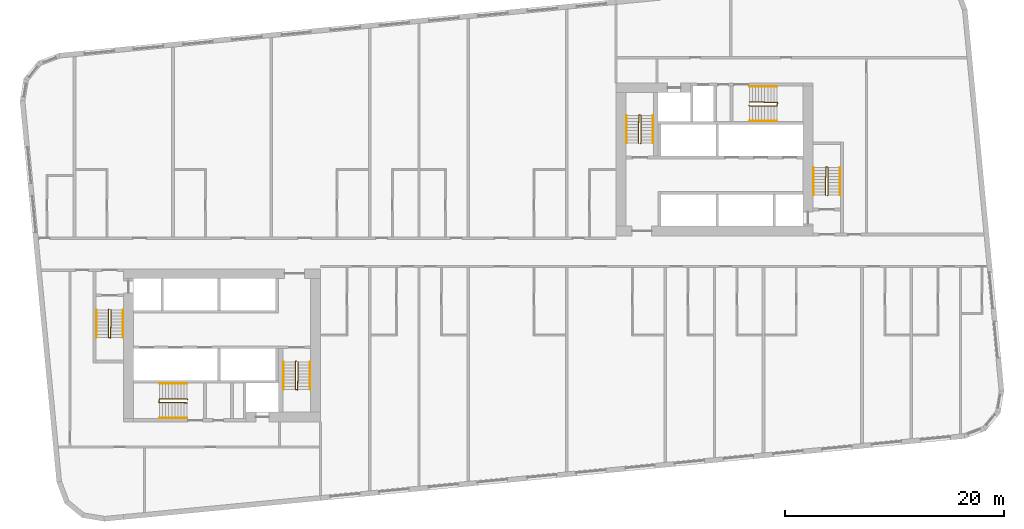
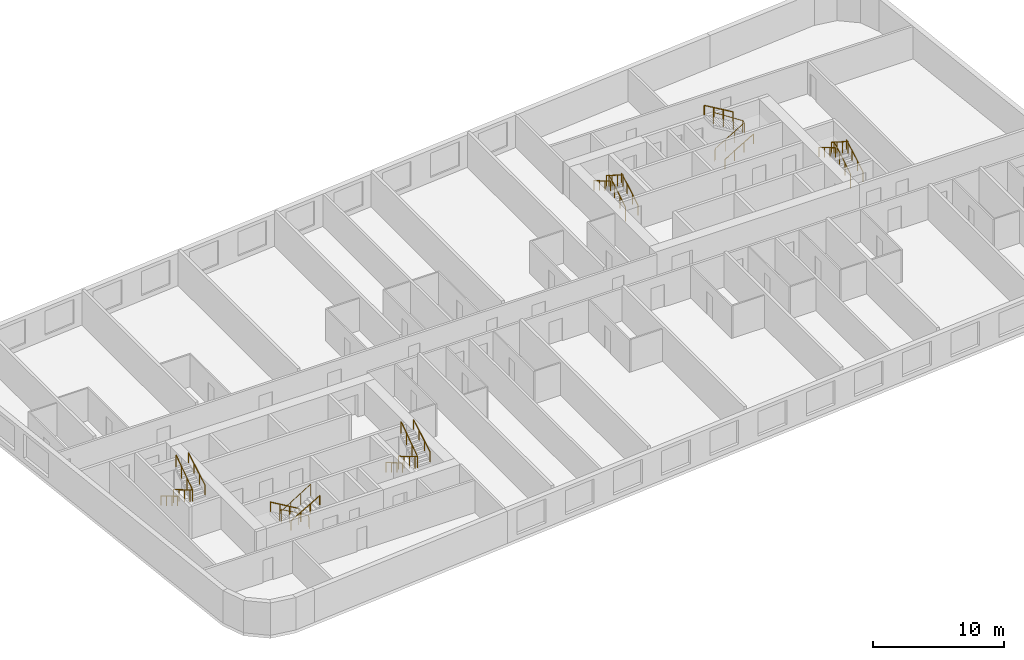
# One storey, part 12 of 12: 18 railings.
"""IFC4 building model written with IfcOpenShell, lengths in metres."""

import ifcopenshell
import ifcopenshell.guid

model = None  # the IFC model being written
_history = None  # IfcOwnerHistory: only IFC2X3 demands one
_inside = {}  # id of a spatial element -> (the spatial element, [elements in it])
_under = {}  # id of a project, library or spatial element -> (it, [spatial elements below it])
_declared = {}  # id of a project -> (the project, [libraries it declares])
_typed = {}  # id of a type object -> (the type object, [elements of that type])
_made_of = {}  # id of a material, layer set ... -> (it, [elements and type objects made of it])


def new_model(schema):
    """Start an empty IFC model of exactly this schema.

    Asked for "IFC4X3", IfcOpenShell would pick the latest addendum, in which some entities
    have other attributes; the version numbers below select the first issue.
    IFC2X3 requires an IfcOwnerHistory on every rooted entity: one is made here for all.
    """
    global model, _history
    if schema == "IFC4X3":
        model = ifcopenshell.file(schema_version=(4, 3, 0, 0))
    else:
        model = ifcopenshell.file(schema=schema)
    _inside.clear()
    _under.clear()
    _declared.clear()
    _typed.clear()
    _made_of.clear()
    _history = None
    if model.schema == "IFC2X3":
        org = make("IfcOrganization", Name="unknown")
        user = make(
            "IfcPersonAndOrganization",
            ThePerson=make("IfcPerson", FamilyName="unknown"),
            TheOrganization=org,
        )
        app = make(
            "IfcApplication",
            ApplicationDeveloper=org,
            Version="unknown",
            ApplicationFullName="unknown",
            ApplicationIdentifier="unknown",
        )
        _history = make(
            "IfcOwnerHistory",
            OwningUser=user,
            OwningApplication=app,
            ChangeAction="ADDED",
            CreationDate=0,
        )
    return model


def make(cls, **values):
    """One entity of the class cls with the attributes given. An attribute that is None is left unset."""
    return model.create_entity(
        cls, **{name: value for name, value in values.items() if value is not None}
    )


def rooted(cls, **values):
    """An entity with a GlobalId (a new one), such as an element, a storey or a relation."""
    return make(cls, GlobalId=ifcopenshell.guid.new(), OwnerHistory=_history, **values)


def si_unit(unit_type, name, prefix=None):
    """IfcSIUnit, for example si_unit("LENGTHUNIT", "METRE", prefix="MILLI")."""
    return make("IfcSIUnit", UnitType=unit_type, Prefix=prefix, Name=name)


def assignment(units):
    """IfcUnitAssignment: the units of a project."""
    return None if units is None else make("IfcUnitAssignment", Units=units)


def point(xyz):
    """IfcCartesianPoint."""
    return None if xyz is None else make("IfcCartesianPoint", Coordinates=xyz)


def direction(xyz):
    """IfcDirection."""
    return None if xyz is None else make("IfcDirection", DirectionRatios=xyz)


def frame(location, z_axis=None, x_axis=None):
    """IfcAxis2Placement3D, a coordinate frame: its origin and axes. An axis left out is left unset."""
    return make(
        "IfcAxis2Placement3D",
        Location=point(location),
        Axis=direction(z_axis),
        RefDirection=direction(x_axis),
    )


def frame_2d(location, x_axis=None):
    """IfcAxis2Placement2D, a coordinate frame in the plane: its origin and x axis."""
    return make(
        "IfcAxis2Placement2D", Location=point(location), RefDirection=direction(x_axis)
    )


def origin():
    """The frame at (0, 0, 0) with its axes left unset."""
    return frame((0.0, 0.0, 0.0))


def origin_2d():
    """The frame at (0, 0) in the plane with its x axis left unset."""
    return frame_2d((0.0, 0.0))


def place(relative_to, where):
    """IfcLocalPlacement: puts the frame where relative to a parent placement (None: the world)."""
    return make(
        "IfcLocalPlacement", PlacementRelTo=relative_to, RelativePlacement=where
    )


def context(
    kind, dimensions, precision=None, world=None, true_north=None, identifier=None
):
    """IfcGeometricRepresentationContext, for example the 3D "Model" context."""
    return make(
        "IfcGeometricRepresentationContext",
        ContextIdentifier=identifier,
        ContextType=kind,
        CoordinateSpaceDimension=dimensions,
        Precision=precision,
        WorldCoordinateSystem=world,
        TrueNorth=true_north,
    )


def subcontext(parent, identifier, kind, view, scale=None):
    """IfcGeometricRepresentationSubContext, for example "Body" below "Model"."""
    return make(
        "IfcGeometricRepresentationSubContext",
        ContextIdentifier=identifier,
        ContextType=kind,
        ParentContext=parent,
        TargetScale=scale,
        TargetView=view,
    )


def project(units=None, contexts=None):
    """IfcProject with its units and contexts."""
    return rooted(
        "IfcProject",
        Name="project",
        RepresentationContexts=contexts,
        UnitsInContext=assignment(units),
    )


def spatial(cls, under=None, at=None, **own):
    """A site, building, storey or space (cls), placed at a placement, below another one or the project."""
    s = rooted(cls, ObjectPlacement=at, **own)
    if under is not None:
        _under.setdefault(under.id(), (under, []))[1].append(s)
    return s


def profile(cls, at=None, kind="AREA", **sizes):
    """A parametric profile (cls). Its sizes go by their IFC names, for example OverallWidth=200.0."""
    return make(cls, ProfileType=kind, Position=at, **sizes)


def circle(**sizes):
    """IfcCircleProfileDef."""
    return profile("IfcCircleProfileDef", **sizes)


def extrude(swept, where, along, depth):
    """IfcExtrudedAreaSolid: the profile swept, set in the frame where, extruded along a direction by depth."""
    return make(
        "IfcExtrudedAreaSolid",
        SweptArea=swept,
        Position=where,
        ExtrudedDirection=direction(along),
        Depth=depth,
    )


def shape(context_of_items, identifier, shape_type, items):
    """IfcShapeRepresentation: the items that make up one representation, for example the "Body"."""
    return make(
        "IfcShapeRepresentation",
        ContextOfItems=context_of_items,
        RepresentationIdentifier=identifier,
        RepresentationType=shape_type,
        Items=items,
    )


def material(Name=None, Category=None):
    """IfcMaterial."""
    return make("IfcMaterial", Name=Name, Category=Category)


def made_of(thing, what):
    """Note that an element or type object is made of a material, layer set ...; save() writes the relation."""
    if what is not None:
        _made_of.setdefault(what.id(), (what, []))[1].append(thing)
    return thing


def type_object(cls, material=None, **own):
    """A type object (cls), such as IfcWallType, which elements share."""
    return made_of(rooted(cls, **own), material)


def element(
    cls,
    number,
    at=None,
    inside=None,
    cuts=None,
    type_object=None,
    material=None,
    context=None,
    identifier="Body",
    shape_type=None,
    held_by="IfcProductDefinitionShape",
    body=None,
    shapes=None,
    **own,
):
    """One element of the class cls, such as IfcWall. Its Tag is "e" and its number.

    at: its placement. inside: the storey or other place that contains it. cuts: it is an
    opening in that element (IfcRelVoidsElement). A single representation is given by context,
    identifier, shape_type and body (its items); several are given by shapes. held_by: the class
    of the entity that holds the representations. save() writes the other relations.
    """
    e = rooted(cls, Tag="e%d" % number, ObjectPlacement=at, **own)
    if body is not None:
        shapes = [shape(context, identifier, shape_type, body)]
    if shapes is not None:
        e.Representation = make(held_by, Representations=shapes)
    if inside is not None:
        _inside.setdefault(inside.id(), (inside, []))[1].append(e)
    if cuts is not None:
        rooted(
            "IfcRelVoidsElement", RelatingBuildingElement=cuts, RelatedOpeningElement=e
        )
    if type_object is not None:
        _typed.setdefault(type_object.id(), (type_object, []))[1].append(e)
    return made_of(e, material)


def aggregate(whole, parts):
    """IfcRelAggregates: a whole, such as a stair, and the parts it consists of."""
    return rooted("IfcRelAggregates", RelatingObject=whole, RelatedObjects=parts)


def save(model, path):
    """Write the relations noted so far, then the file.

    IfcRelAggregates (storeys below a building ...), IfcRelContainedInSpatialStructure (elements
    in a storey), IfcRelDefinesByType, IfcRelAssociatesMaterial and IfcRelDeclares: one each for
    every whole, place, type object, material and project.
    """
    for whole, parts in _under.values():
        aggregate(whole, parts)
    for where, things in _inside.values():
        rooted(
            "IfcRelContainedInSpatialStructure",
            RelatedElements=things,
            RelatingStructure=where,
        )
    for kind, things in _typed.values():
        rooted("IfcRelDefinesByType", RelatedObjects=things, RelatingType=kind)
    for what, things in _made_of.values():
        rooted("IfcRelAssociatesMaterial", RelatedObjects=things, RelatingMaterial=what)
    for by, libraries in _declared.values():
        rooted("IfcRelDeclares", RelatingContext=by, RelatedDefinitions=libraries)
    model.write(path)


model = new_model("IFC4")

# Units and contexts
model_context = context("Model", 3, precision=1e-05, world=origin(), true_north=direction((0.0, 1.0)))
body_context = subcontext(model_context, "Body", "Model", "MODEL_VIEW")
ifc_project = project(units=[si_unit("LENGTHUNIT", "METRE"), si_unit("AREAUNIT", "SQUARE_METRE"), si_unit("VOLUMEUNIT", "CUBIC_METRE"), si_unit("PLANEANGLEUNIT", "RADIAN"), si_unit("MASSUNIT", "GRAM", prefix="KILO")], contexts=[model_context])

# Site, building, storey
site_placement = place(None, origin())
site = spatial("IfcSite", under=ifc_project, at=site_placement, CompositionType="ELEMENT")
building_placement = place(site_placement, origin())
building = spatial("IfcBuilding", under=site, at=building_placement, Name="Kajstack Hotel Tower", CompositionType="ELEMENT")
storey_placement = place(building_placement, frame((0.0, 0.0, 137.199951171875)))
storey = spatial("IfcBuildingStorey", under=building, at=storey_placement, Name="L31", CompositionType="ELEMENT", Elevation=137.199951171875)

# Railings
ifc_material = material(Name="Steel S355J2", Category="steel")
railing_type_1 = type_object("IfcRailingType", Name="Stair guard 1100", PredefinedType="GUARDRAIL", material=ifc_material)
railing_1_placement = place(storey_placement, frame((-32.85009765625, -5.199951171875, 0.0)))
element("IfcRailing", 1, at=railing_1_placement, inside=storey, type_object=railing_type_1, Name="L31 W1 stair guard 1", PredefinedType="GUARDRAIL", context=body_context, shape_type="SweptSolid", body=[
    extrude(circle(Radius=0.02392578125, at=origin_2d()), frame((0.0, 0.0, 1.076171875), z_axis=(-0.277450376394, -0.278810427259, 0.919394384522), x_axis=(0.708833529934, -0.705375805398, 0.0)), (0.0, 0.0, 1.0), 0.179443359375),
    extrude(circle(Radius=0.02392578125, at=origin_2d()), frame((-0.0498046875, -0.050048828125, 1.2412109375), z_axis=(0.0, -0.86152411907, 0.507716645641), x_axis=(1.0, 0.0, 0.0)), (0.0, 0.0, 1.0), 2.925048828125),
    extrude(circle(Radius=0.02392578125, at=origin_2d()), frame((-0.0498046875, -2.570068359375, 2.72607421875), z_axis=(0.970072785993, -0.242814311512, 0.0), x_axis=(0.242814311512, 0.970072785993, 0.0)), (0.0, 0.0, 1.0), 0.2060546875),
    extrude(circle(Radius=0.02392578125, at=origin_2d()), frame((0.150146484375, -2.6201171875, 2.72607421875), z_axis=(0.016385308676, 0.841405582595, 0.540155687962), x_axis=(-0.999810440751, 0.019470042781, 0.0)), (0.0, 0.0, 1.0), 3.054443359375),
    extrude(circle(Radius=0.02099609375, at=origin_2d()), origin(), (0.0, 0.0, 1.0), 1.052001953125),
    extrude(circle(Radius=0.02099609375, at=origin_2d()), frame((-0.0498046875, -0.050048828125, 0.1650390625)), (0.0, 0.0, 1.0), 1.052001953125),
    extrude(circle(Radius=0.02099609375, at=origin_2d()), frame((-0.0498046875, -0.89013671875, 0.66015625)), (0.0, 0.0, 1.0), 1.052001953125),
    extrude(circle(Radius=0.02099609375, at=origin_2d()), frame((-0.0498046875, -1.72998046875, 1.155029296875)), (0.0, 0.0, 1.0), 1.052001953125),
    extrude(circle(Radius=0.02099609375, at=origin_2d()), frame((-0.0498046875, -2.570068359375, 1.650146484375)), (0.0, 0.0, 1.0), 1.052001953125),
    extrude(circle(Radius=0.02099609375, at=origin_2d()), frame((0.150146484375, -2.6201171875, 1.650146484375)), (0.0, 0.0, 1.0), 1.052001953125),
    extrude(circle(Radius=0.02099609375, at=origin_2d()), frame((0.166748046875, -1.763427734375, 2.2001953125)), (0.0, 0.0, 1.0), 1.052001953125),
    extrude(circle(Radius=0.02099609375, at=origin_2d()), frame((0.18359375, -0.90673828125, 2.75)), (0.0, 0.0, 1.0), 1.052001953125),
    extrude(circle(Radius=0.02099609375, at=origin_2d()), frame((0.2001953125, -0.050048828125, 3.300048828125)), (0.0, 0.0, 1.0), 1.052001953125),
])
railing_2_placement = place(storey_placement, frame((-15.75, -9.949951171875, 0.0)))
element("IfcRailing", 2, at=railing_2_placement, inside=storey, type_object=railing_type_1, Name="L31 W2 stair guard 1", PredefinedType="GUARDRAIL", context=body_context, shape_type="SweptSolid", body=[
    extrude(circle(Radius=0.02392578125, at=origin_2d()), frame((0.0, 0.0, 1.076171875), z_axis=(-0.278705021027, -0.278705021027, 0.919046801044), x_axis=(0.707106781187, -0.707106781187, 0.0)), (0.0, 0.0, 1.0), 0.1796875),
    extrude(circle(Radius=0.02392578125, at=origin_2d()), frame((-0.050048828125, -0.050048828125, 1.2412109375), z_axis=(0.0, -0.86152411907, 0.507716645641), x_axis=(1.0, 0.0, 0.0)), (0.0, 0.0, 1.0), 2.925048828125),
    extrude(circle(Radius=0.02392578125, at=origin_2d()), frame((-0.050048828125, -2.570068359375, 2.72607421875), z_axis=(0.970072785993, -0.242814311512, 0.0), x_axis=(0.242814311512, 0.970072785993, 0.0)), (0.0, 0.0, 1.0), 0.2060546875),
    extrude(circle(Radius=0.02392578125, at=origin_2d()), frame((0.14990234375, -2.6201171875, 2.72607421875), z_axis=(0.016385308676, 0.841405582595, 0.540155687962), x_axis=(-0.999810440751, 0.019470042781, 0.0)), (0.0, 0.0, 1.0), 3.054443359375),
    extrude(circle(Radius=0.02099609375, at=origin_2d()), origin(), (0.0, 0.0, 1.0), 1.052001953125),
    extrude(circle(Radius=0.02099609375, at=origin_2d()), frame((-0.050048828125, -0.050048828125, 0.1650390625)), (0.0, 0.0, 1.0), 1.052001953125),
    extrude(circle(Radius=0.02099609375, at=origin_2d()), frame((-0.050048828125, -0.89013671875, 0.66015625)), (0.0, 0.0, 1.0), 1.052001953125),
    extrude(circle(Radius=0.02099609375, at=origin_2d()), frame((-0.050048828125, -1.72998046875, 1.155029296875)), (0.0, 0.0, 1.0), 1.052001953125),
    extrude(circle(Radius=0.02099609375, at=origin_2d()), frame((-0.050048828125, -2.570068359375, 1.650146484375)), (0.0, 0.0, 1.0), 1.052001953125),
    extrude(circle(Radius=0.02099609375, at=origin_2d()), frame((0.14990234375, -2.6201171875, 1.650146484375)), (0.0, 0.0, 1.0), 1.052001953125),
    extrude(circle(Radius=0.02099609375, at=origin_2d()), frame((0.16650390625, -1.763427734375, 2.2001953125)), (0.0, 0.0, 1.0), 1.052001953125),
    extrude(circle(Radius=0.02099609375, at=origin_2d()), frame((0.183349609375, -0.90673828125, 2.75)), (0.0, 0.0, 1.0), 1.052001953125),
    extrude(circle(Radius=0.02099609375, at=origin_2d()), frame((0.199951171875, -0.050048828125, 3.300048828125)), (0.0, 0.0, 1.0), 1.052001953125),
])
railing_3_placement = place(storey_placement, frame((-25.64990234375, -13.449951171875, 0.0)))
element("IfcRailing", 3, at=railing_3_placement, inside=storey, type_object=railing_type_1, Name="L31 W3 stair guard 1", PredefinedType="GUARDRAIL", context=body_context, shape_type="SweptSolid", body=[
    extrude(circle(Radius=0.02392578125, at=origin_2d()), frame((0.0, 0.0, 1.076171875), z_axis=(-0.278705021027, 0.278705021027, 0.919046801044), x_axis=(-0.707106781187, -0.707106781187, 0.0)), (0.0, 0.0, 1.0), 0.1796875),
    extrude(circle(Radius=0.02392578125, at=origin_2d()), frame((-0.050048828125, 0.050048828125, 1.2412109375), z_axis=(-0.86152411907, 0.0, 0.507716645641), x_axis=(0.0, -1.0, 0.0)), (0.0, 0.0, 1.0), 2.925048828125),
    extrude(circle(Radius=0.02392578125, at=origin_2d()), frame((-2.570068359375, 0.050048828125, 2.72607421875), z_axis=(-0.164529134168, -0.986372223864, 0.0), x_axis=(0.986372223864, -0.164529134168, 0.0)), (0.0, 0.0, 1.0), 0.30419921875),
    extrude(circle(Radius=0.02392578125, at=origin_2d()), frame((-2.6201171875, -0.25, 2.72607421875), z_axis=(0.841405582595, -0.016385308676, 0.540155687962), x_axis=(0.019470042781, 0.999810440751, 0.0)), (0.0, 0.0, 1.0), 3.054443359375),
    extrude(circle(Radius=0.02099609375, at=origin_2d()), origin(), (0.0, 0.0, 1.0), 1.052001953125),
    extrude(circle(Radius=0.02099609375, at=origin_2d()), frame((-0.050048828125, 0.050048828125, 0.1650390625)), (0.0, 0.0, 1.0), 1.052001953125),
    extrude(circle(Radius=0.02099609375, at=origin_2d()), frame((-0.89013671875, 0.050048828125, 0.66015625)), (0.0, 0.0, 1.0), 1.052001953125),
    extrude(circle(Radius=0.02099609375, at=origin_2d()), frame((-1.72998046875, 0.050048828125, 1.155029296875)), (0.0, 0.0, 1.0), 1.052001953125),
    extrude(circle(Radius=0.02099609375, at=origin_2d()), frame((-2.570068359375, 0.050048828125, 1.650146484375)), (0.0, 0.0, 1.0), 1.052001953125),
    extrude(circle(Radius=0.02099609375, at=origin_2d()), frame((-2.6201171875, -0.25, 1.650146484375)), (0.0, 0.0, 1.0), 1.052001953125),
    extrude(circle(Radius=0.02099609375, at=origin_2d()), frame((-1.763427734375, -0.2666015625, 2.2001953125)), (0.0, 0.0, 1.0), 1.052001953125),
    extrude(circle(Radius=0.02099609375, at=origin_2d()), frame((-0.90673828125, -0.283447265625, 2.75)), (0.0, 0.0, 1.0), 1.052001953125),
    extrude(circle(Radius=0.02099609375, at=origin_2d()), frame((-0.050048828125, -0.300048828125, 3.300048828125)), (0.0, 0.0, 1.0), 1.052001953125),
])
railing_4_placement = place(storey_placement, frame((32.85009765625, 5.199951171875, 0.0)))
element("IfcRailing", 4, at=railing_4_placement, inside=storey, type_object=railing_type_1, Name="L31 E1 stair guard 1", PredefinedType="GUARDRAIL", context=body_context, shape_type="SweptSolid", body=[
    extrude(circle(Radius=0.02392578125, at=origin_2d()), frame((0.0, 0.0, 1.076171875), z_axis=(0.277450376394, 0.278810427259, 0.919394384522), x_axis=(-0.708833529934, 0.705375805398, 0.0)), (0.0, 0.0, 1.0), 0.179443359375),
    extrude(circle(Radius=0.02392578125, at=origin_2d()), frame((0.0498046875, 0.050048828125, 1.2412109375), z_axis=(0.0, 0.86152411907, 0.507716645641), x_axis=(-1.0, 0.0, 0.0)), (0.0, 0.0, 1.0), 2.925048828125),
    extrude(circle(Radius=0.02392578125, at=origin_2d()), frame((0.0498046875, 2.570068359375, 2.72607421875), z_axis=(-0.970072785993, 0.242814311512, 0.0), x_axis=(-0.242814311512, -0.970072785993, 0.0)), (0.0, 0.0, 1.0), 0.2060546875),
    extrude(circle(Radius=0.02392578125, at=origin_2d()), frame((-0.150146484375, 2.6201171875, 2.72607421875), z_axis=(-0.016385308676, -0.841405582595, 0.540155687962), x_axis=(0.999810440751, -0.019470042781, 0.0)), (0.0, 0.0, 1.0), 3.054443359375),
    extrude(circle(Radius=0.02099609375, at=origin_2d()), origin(), (0.0, 0.0, 1.0), 1.052001953125),
    extrude(circle(Radius=0.02099609375, at=origin_2d()), frame((0.0498046875, 0.050048828125, 0.1650390625)), (0.0, 0.0, 1.0), 1.052001953125),
    extrude(circle(Radius=0.02099609375, at=origin_2d()), frame((0.0498046875, 0.89013671875, 0.66015625)), (0.0, 0.0, 1.0), 1.052001953125),
    extrude(circle(Radius=0.02099609375, at=origin_2d()), frame((0.0498046875, 1.72998046875, 1.155029296875)), (0.0, 0.0, 1.0), 1.052001953125),
    extrude(circle(Radius=0.02099609375, at=origin_2d()), frame((0.0498046875, 2.570068359375, 1.650146484375)), (0.0, 0.0, 1.0), 1.052001953125),
    extrude(circle(Radius=0.02099609375, at=origin_2d()), frame((-0.150146484375, 2.6201171875, 1.650146484375)), (0.0, 0.0, 1.0), 1.052001953125),
    extrude(circle(Radius=0.02099609375, at=origin_2d()), frame((-0.166748046875, 1.763427734375, 2.2001953125)), (0.0, 0.0, 1.0), 1.052001953125),
    extrude(circle(Radius=0.02099609375, at=origin_2d()), frame((-0.18359375, 0.90673828125, 2.75)), (0.0, 0.0, 1.0), 1.052001953125),
    extrude(circle(Radius=0.02099609375, at=origin_2d()), frame((-0.2001953125, 0.050048828125, 3.300048828125)), (0.0, 0.0, 1.0), 1.052001953125),
])
railing_5_placement = place(storey_placement, frame((15.75, 9.949951171875, 0.0)))
element("IfcRailing", 5, at=railing_5_placement, inside=storey, type_object=railing_type_1, Name="L31 E2 stair guard 1", PredefinedType="GUARDRAIL", context=body_context, shape_type="SweptSolid", body=[
    extrude(circle(Radius=0.02392578125, at=origin_2d()), frame((0.0, 0.0, 1.076171875), z_axis=(0.278705021027, 0.278705021027, 0.919046801044), x_axis=(-0.707106781187, 0.707106781187, 0.0)), (0.0, 0.0, 1.0), 0.1796875),
    extrude(circle(Radius=0.02392578125, at=origin_2d()), frame((0.050048828125, 0.050048828125, 1.2412109375), z_axis=(0.0, 0.86152411907, 0.507716645641), x_axis=(-1.0, 0.0, 0.0)), (0.0, 0.0, 1.0), 2.925048828125),
    extrude(circle(Radius=0.02392578125, at=origin_2d()), frame((0.050048828125, 2.570068359375, 2.72607421875), z_axis=(-0.970072785993, 0.242814311512, 0.0), x_axis=(-0.242814311512, -0.970072785993, 0.0)), (0.0, 0.0, 1.0), 0.2060546875),
    extrude(circle(Radius=0.02392578125, at=origin_2d()), frame((-0.14990234375, 2.6201171875, 2.72607421875), z_axis=(-0.016385308676, -0.841405582595, 0.540155687962), x_axis=(0.999810440751, -0.019470042781, 0.0)), (0.0, 0.0, 1.0), 3.054443359375),
    extrude(circle(Radius=0.02099609375, at=origin_2d()), origin(), (0.0, 0.0, 1.0), 1.052001953125),
    extrude(circle(Radius=0.02099609375, at=origin_2d()), frame((0.050048828125, 0.050048828125, 0.1650390625)), (0.0, 0.0, 1.0), 1.052001953125),
    extrude(circle(Radius=0.02099609375, at=origin_2d()), frame((0.050048828125, 0.89013671875, 0.66015625)), (0.0, 0.0, 1.0), 1.052001953125),
    extrude(circle(Radius=0.02099609375, at=origin_2d()), frame((0.050048828125, 1.72998046875, 1.155029296875)), (0.0, 0.0, 1.0), 1.052001953125),
    extrude(circle(Radius=0.02099609375, at=origin_2d()), frame((0.050048828125, 2.570068359375, 1.650146484375)), (0.0, 0.0, 1.0), 1.052001953125),
    extrude(circle(Radius=0.02099609375, at=origin_2d()), frame((-0.14990234375, 2.6201171875, 1.650146484375)), (0.0, 0.0, 1.0), 1.052001953125),
    extrude(circle(Radius=0.02099609375, at=origin_2d()), frame((-0.16650390625, 1.763427734375, 2.2001953125)), (0.0, 0.0, 1.0), 1.052001953125),
    extrude(circle(Radius=0.02099609375, at=origin_2d()), frame((-0.183349609375, 0.90673828125, 2.75)), (0.0, 0.0, 1.0), 1.052001953125),
    extrude(circle(Radius=0.02099609375, at=origin_2d()), frame((-0.199951171875, 0.050048828125, 3.300048828125)), (0.0, 0.0, 1.0), 1.052001953125),
])
railing_6_placement = place(storey_placement, frame((25.64990234375, 13.449951171875, 0.0)))
element("IfcRailing", 6, at=railing_6_placement, inside=storey, type_object=railing_type_1, Name="L31 E3 stair guard 1", PredefinedType="GUARDRAIL", context=body_context, shape_type="SweptSolid", body=[
    extrude(circle(Radius=0.02392578125, at=origin_2d()), frame((0.0, 0.0, 1.076171875), z_axis=(0.278705021027, -0.278705021027, 0.919046801044), x_axis=(0.707106781187, 0.707106781187, 0.0)), (0.0, 0.0, 1.0), 0.1796875),
    extrude(circle(Radius=0.02392578125, at=origin_2d()), frame((0.050048828125, -0.050048828125, 1.2412109375), z_axis=(0.86152411907, 0.0, 0.507716645641), x_axis=(0.0, 1.0, 0.0)), (0.0, 0.0, 1.0), 2.925048828125),
    extrude(circle(Radius=0.02392578125, at=origin_2d()), frame((2.570068359375, -0.050048828125, 2.72607421875), z_axis=(0.164529134168, 0.986372223864, 0.0), x_axis=(-0.986372223864, 0.164529134168, 0.0)), (0.0, 0.0, 1.0), 0.30419921875),
    extrude(circle(Radius=0.02392578125, at=origin_2d()), frame((2.6201171875, 0.25, 2.72607421875), z_axis=(-0.841405582595, 0.016385308676, 0.540155687962), x_axis=(-0.019470042781, -0.999810440751, 0.0)), (0.0, 0.0, 1.0), 3.054443359375),
    extrude(circle(Radius=0.02099609375, at=origin_2d()), origin(), (0.0, 0.0, 1.0), 1.052001953125),
    extrude(circle(Radius=0.02099609375, at=origin_2d()), frame((0.050048828125, -0.050048828125, 0.1650390625)), (0.0, 0.0, 1.0), 1.052001953125),
    extrude(circle(Radius=0.02099609375, at=origin_2d()), frame((0.89013671875, -0.050048828125, 0.66015625)), (0.0, 0.0, 1.0), 1.052001953125),
    extrude(circle(Radius=0.02099609375, at=origin_2d()), frame((1.72998046875, -0.050048828125, 1.155029296875)), (0.0, 0.0, 1.0), 1.052001953125),
    extrude(circle(Radius=0.02099609375, at=origin_2d()), frame((2.570068359375, -0.050048828125, 1.650146484375)), (0.0, 0.0, 1.0), 1.052001953125),
    extrude(circle(Radius=0.02099609375, at=origin_2d()), frame((2.6201171875, 0.25, 1.650146484375)), (0.0, 0.0, 1.0), 1.052001953125),
    extrude(circle(Radius=0.02099609375, at=origin_2d()), frame((1.763427734375, 0.2666015625, 2.2001953125)), (0.0, 0.0, 1.0), 1.052001953125),
    extrude(circle(Radius=0.02099609375, at=origin_2d()), frame((0.90673828125, 0.283447265625, 2.75)), (0.0, 0.0, 1.0), 1.052001953125),
    extrude(circle(Radius=0.02099609375, at=origin_2d()), frame((0.050048828125, 0.300048828125, 3.300048828125)), (0.0, 0.0, 1.0), 1.052001953125),
])
railing_type_2 = type_object("IfcRailingType", Name="Stair handrail 900", PredefinedType="HANDRAIL", material=ifc_material)
railing_7_placement = place(storey_placement, frame((-34.0, -5.25, 0.1650390625)))
element("IfcRailing", 7, at=railing_7_placement, inside=storey, type_object=railing_type_2, Name="L31 W1 stair handrail 1", PredefinedType="HANDRAIL", context=body_context, shape_type="SweptSolid", body=[
    extrude(circle(Radius=0.02392578125, at=origin_2d()), frame((0.0, 0.0, 0.8759765625), z_axis=(0.0, -0.86152411907, 0.507716645641), x_axis=(1.0, 0.0, 0.0)), (0.0, 0.0, 1.0), 2.925048828125),
    extrude(circle(Radius=0.02099609375, at=origin_2d()), origin(), (0.0, 0.0, 1.0), 0.851806640625),
    extrude(circle(Radius=0.02099609375, at=origin_2d()), frame((0.0, -0.840087890625, 0.4951171875)), (0.0, 0.0, 1.0), 0.851806640625),
    extrude(circle(Radius=0.02099609375, at=origin_2d()), frame((0.0, -1.679931640625, 0.989990234375)), (0.0, 0.0, 1.0), 0.851806640625),
    extrude(circle(Radius=0.02099609375, at=origin_2d()), frame((0.0, -2.52001953125, 1.485107421875)), (0.0, 0.0, 1.0), 0.851806640625),
])
railing_8_placement = place(storey_placement, frame((-31.550048828125, -7.77001953125, 1.81494140625)))
element("IfcRailing", 8, at=railing_8_placement, inside=storey, type_object=railing_type_2, Name="L31 W1 stair handrail 2", PredefinedType="HANDRAIL", context=body_context, shape_type="SweptSolid", body=[
    extrude(circle(Radius=0.02392578125, at=origin_2d()), frame((0.0, 0.0, 0.8759765625), z_axis=(0.0, 0.86152411907, 0.507716645641), x_axis=(-1.0, 0.0, 0.0)), (0.0, 0.0, 1.0), 2.925048828125),
    extrude(circle(Radius=0.02099609375, at=origin_2d()), origin(), (0.0, 0.0, 1.0), 0.851806640625),
    extrude(circle(Radius=0.02099609375, at=origin_2d()), frame((0.0, 0.840087890625, 0.4951171875)), (0.0, 0.0, 1.0), 0.851806640625),
    extrude(circle(Radius=0.02099609375, at=origin_2d()), frame((0.0, 1.679931640625, 0.989990234375)), (0.0, 0.0, 1.0), 0.851806640625),
    extrude(circle(Radius=0.02099609375, at=origin_2d()), frame((0.0, 2.52001953125, 1.485107421875)), (0.0, 0.0, 1.0), 0.851806640625),
])
railing_9_placement = place(storey_placement, frame((-16.89990234375, -10.0, 0.1650390625)))
element("IfcRailing", 9, at=railing_9_placement, inside=storey, type_object=railing_type_2, Name="L31 W2 stair handrail 1", PredefinedType="HANDRAIL", context=body_context, shape_type="SweptSolid", body=[
    extrude(circle(Radius=0.02392578125, at=origin_2d()), frame((0.0, 0.0, 0.8759765625), z_axis=(0.0, -0.86152411907, 0.507716645641), x_axis=(1.0, 0.0, 0.0)), (0.0, 0.0, 1.0), 2.925048828125),
    extrude(circle(Radius=0.02099609375, at=origin_2d()), origin(), (0.0, 0.0, 1.0), 0.851806640625),
    extrude(circle(Radius=0.02099609375, at=origin_2d()), frame((0.0, -0.840087890625, 0.4951171875)), (0.0, 0.0, 1.0), 0.851806640625),
    extrude(circle(Radius=0.02099609375, at=origin_2d()), frame((0.0, -1.679931640625, 0.989990234375)), (0.0, 0.0, 1.0), 0.851806640625),
    extrude(circle(Radius=0.02099609375, at=origin_2d()), frame((0.0, -2.52001953125, 1.485107421875)), (0.0, 0.0, 1.0), 0.851806640625),
])
railing_10_placement = place(storey_placement, frame((-14.449951171875, -12.52001953125, 1.81494140625)))
element("IfcRailing", 10, at=railing_10_placement, inside=storey, type_object=railing_type_2, Name="L31 W2 stair handrail 2", PredefinedType="HANDRAIL", context=body_context, shape_type="SweptSolid", body=[
    extrude(circle(Radius=0.02392578125, at=origin_2d()), frame((0.0, 0.0, 0.8759765625), z_axis=(0.0, 0.86152411907, 0.507716645641), x_axis=(-1.0, 0.0, 0.0)), (0.0, 0.0, 1.0), 2.925048828125),
    extrude(circle(Radius=0.02099609375, at=origin_2d()), origin(), (0.0, 0.0, 1.0), 0.851806640625),
    extrude(circle(Radius=0.02099609375, at=origin_2d()), frame((0.0, 0.840087890625, 0.4951171875)), (0.0, 0.0, 1.0), 0.851806640625),
    extrude(circle(Radius=0.02099609375, at=origin_2d()), frame((0.0, 1.679931640625, 0.989990234375)), (0.0, 0.0, 1.0), 0.851806640625),
    extrude(circle(Radius=0.02099609375, at=origin_2d()), frame((0.0, 2.52001953125, 1.485107421875)), (0.0, 0.0, 1.0), 0.851806640625),
])
railing_11_placement = place(storey_placement, frame((-25.699951171875, -12.0, 0.1650390625)))
element("IfcRailing", 11, at=railing_11_placement, inside=storey, type_object=railing_type_2, Name="L31 W3 stair handrail 1", PredefinedType="HANDRAIL", context=body_context, shape_type="SweptSolid", body=[
    extrude(circle(Radius=0.02392578125, at=origin_2d()), frame((0.0, 0.0, 0.8759765625), z_axis=(-0.86152411907, 0.0, 0.507716645641), x_axis=(0.0, -1.0, 0.0)), (0.0, 0.0, 1.0), 2.925048828125),
    extrude(circle(Radius=0.02099609375, at=origin_2d()), origin(), (0.0, 0.0, 1.0), 0.851806640625),
    extrude(circle(Radius=0.02099609375, at=origin_2d()), frame((-0.840087890625, 0.0, 0.4951171875)), (0.0, 0.0, 1.0), 0.851806640625),
    extrude(circle(Radius=0.02099609375, at=origin_2d()), frame((-1.679931640625, 0.0, 0.989990234375)), (0.0, 0.0, 1.0), 0.851806640625),
    extrude(circle(Radius=0.02099609375, at=origin_2d()), frame((-2.52001953125, 0.0, 1.485107421875)), (0.0, 0.0, 1.0), 0.851806640625),
])
railing_12_placement = place(storey_placement, frame((-28.219970703125, -15.14990234375, 1.81494140625)))
element("IfcRailing", 12, at=railing_12_placement, inside=storey, type_object=railing_type_2, Name="L31 W3 stair handrail 2", PredefinedType="HANDRAIL", context=body_context, shape_type="SweptSolid", body=[
    extrude(circle(Radius=0.02392578125, at=origin_2d()), frame((0.0, 0.0, 0.8759765625), z_axis=(0.86152411907, 0.0, 0.507716645641), x_axis=(0.0, 1.0, 0.0)), (0.0, 0.0, 1.0), 2.925048828125),
    extrude(circle(Radius=0.02099609375, at=origin_2d()), origin(), (0.0, 0.0, 1.0), 0.851806640625),
    extrude(circle(Radius=0.02099609375, at=origin_2d()), frame((0.840087890625, 0.0, 0.4951171875)), (0.0, 0.0, 1.0), 0.851806640625),
    extrude(circle(Radius=0.02099609375, at=origin_2d()), frame((1.679931640625, 0.0, 0.989990234375)), (0.0, 0.0, 1.0), 0.851806640625),
    extrude(circle(Radius=0.02099609375, at=origin_2d()), frame((2.52001953125, 0.0, 1.485107421875)), (0.0, 0.0, 1.0), 0.851806640625),
])
railing_13_placement = place(storey_placement, frame((34.0, 5.25, 0.1650390625)))
element("IfcRailing", 13, at=railing_13_placement, inside=storey, type_object=railing_type_2, Name="L31 E1 stair handrail 1", PredefinedType="HANDRAIL", context=body_context, shape_type="SweptSolid", body=[
    extrude(circle(Radius=0.02392578125, at=origin_2d()), frame((0.0, 0.0, 0.8759765625), z_axis=(0.0, 0.86152411907, 0.507716645641), x_axis=(-1.0, 0.0, 0.0)), (0.0, 0.0, 1.0), 2.925048828125),
    extrude(circle(Radius=0.02099609375, at=origin_2d()), origin(), (0.0, 0.0, 1.0), 0.851806640625),
    extrude(circle(Radius=0.02099609375, at=origin_2d()), frame((0.0, 0.840087890625, 0.4951171875)), (0.0, 0.0, 1.0), 0.851806640625),
    extrude(circle(Radius=0.02099609375, at=origin_2d()), frame((0.0, 1.679931640625, 0.989990234375)), (0.0, 0.0, 1.0), 0.851806640625),
    extrude(circle(Radius=0.02099609375, at=origin_2d()), frame((0.0, 2.52001953125, 1.485107421875)), (0.0, 0.0, 1.0), 0.851806640625),
])
railing_14_placement = place(storey_placement, frame((31.550048828125, 7.77001953125, 1.81494140625)))
element("IfcRailing", 14, at=railing_14_placement, inside=storey, type_object=railing_type_2, Name="L31 E1 stair handrail 2", PredefinedType="HANDRAIL", context=body_context, shape_type="SweptSolid", body=[
    extrude(circle(Radius=0.02392578125, at=origin_2d()), frame((0.0, 0.0, 0.8759765625), z_axis=(0.0, -0.86152411907, 0.507716645641), x_axis=(1.0, 0.0, 0.0)), (0.0, 0.0, 1.0), 2.925048828125),
    extrude(circle(Radius=0.02099609375, at=origin_2d()), origin(), (0.0, 0.0, 1.0), 0.851806640625),
    extrude(circle(Radius=0.02099609375, at=origin_2d()), frame((0.0, -0.840087890625, 0.4951171875)), (0.0, 0.0, 1.0), 0.851806640625),
    extrude(circle(Radius=0.02099609375, at=origin_2d()), frame((0.0, -1.679931640625, 0.989990234375)), (0.0, 0.0, 1.0), 0.851806640625),
    extrude(circle(Radius=0.02099609375, at=origin_2d()), frame((0.0, -2.52001953125, 1.485107421875)), (0.0, 0.0, 1.0), 0.851806640625),
])
railing_15_placement = place(storey_placement, frame((16.89990234375, 10.0, 0.1650390625)))
element("IfcRailing", 15, at=railing_15_placement, inside=storey, type_object=railing_type_2, Name="L31 E2 stair handrail 1", PredefinedType="HANDRAIL", context=body_context, shape_type="SweptSolid", body=[
    extrude(circle(Radius=0.02392578125, at=origin_2d()), frame((0.0, 0.0, 0.8759765625), z_axis=(0.0, 0.86152411907, 0.507716645641), x_axis=(-1.0, 0.0, 0.0)), (0.0, 0.0, 1.0), 2.925048828125),
    extrude(circle(Radius=0.02099609375, at=origin_2d()), origin(), (0.0, 0.0, 1.0), 0.851806640625),
    extrude(circle(Radius=0.02099609375, at=origin_2d()), frame((0.0, 0.840087890625, 0.4951171875)), (0.0, 0.0, 1.0), 0.851806640625),
    extrude(circle(Radius=0.02099609375, at=origin_2d()), frame((0.0, 1.679931640625, 0.989990234375)), (0.0, 0.0, 1.0), 0.851806640625),
    extrude(circle(Radius=0.02099609375, at=origin_2d()), frame((0.0, 2.52001953125, 1.485107421875)), (0.0, 0.0, 1.0), 0.851806640625),
])
railing_16_placement = place(storey_placement, frame((14.449951171875, 12.52001953125, 1.81494140625)))
element("IfcRailing", 16, at=railing_16_placement, inside=storey, type_object=railing_type_2, Name="L31 E2 stair handrail 2", PredefinedType="HANDRAIL", context=body_context, shape_type="SweptSolid", body=[
    extrude(circle(Radius=0.02392578125, at=origin_2d()), frame((0.0, 0.0, 0.8759765625), z_axis=(0.0, -0.86152411907, 0.507716645641), x_axis=(1.0, 0.0, 0.0)), (0.0, 0.0, 1.0), 2.925048828125),
    extrude(circle(Radius=0.02099609375, at=origin_2d()), origin(), (0.0, 0.0, 1.0), 0.851806640625),
    extrude(circle(Radius=0.02099609375, at=origin_2d()), frame((0.0, -0.840087890625, 0.4951171875)), (0.0, 0.0, 1.0), 0.851806640625),
    extrude(circle(Radius=0.02099609375, at=origin_2d()), frame((0.0, -1.679931640625, 0.989990234375)), (0.0, 0.0, 1.0), 0.851806640625),
    extrude(circle(Radius=0.02099609375, at=origin_2d()), frame((0.0, -2.52001953125, 1.485107421875)), (0.0, 0.0, 1.0), 0.851806640625),
])
railing_17_placement = place(storey_placement, frame((25.699951171875, 12.0, 0.1650390625)))
element("IfcRailing", 17, at=railing_17_placement, inside=storey, type_object=railing_type_2, Name="L31 E3 stair handrail 1", PredefinedType="HANDRAIL", context=body_context, shape_type="SweptSolid", body=[
    extrude(circle(Radius=0.02392578125, at=origin_2d()), frame((0.0, 0.0, 0.8759765625), z_axis=(0.86152411907, 0.0, 0.507716645641), x_axis=(0.0, 1.0, 0.0)), (0.0, 0.0, 1.0), 2.925048828125),
    extrude(circle(Radius=0.02099609375, at=origin_2d()), origin(), (0.0, 0.0, 1.0), 0.851806640625),
    extrude(circle(Radius=0.02099609375, at=origin_2d()), frame((0.840087890625, 0.0, 0.4951171875)), (0.0, 0.0, 1.0), 0.851806640625),
    extrude(circle(Radius=0.02099609375, at=origin_2d()), frame((1.679931640625, 0.0, 0.989990234375)), (0.0, 0.0, 1.0), 0.851806640625),
    extrude(circle(Radius=0.02099609375, at=origin_2d()), frame((2.52001953125, 0.0, 1.485107421875)), (0.0, 0.0, 1.0), 0.851806640625),
])
railing_18_placement = place(storey_placement, frame((28.219970703125, 15.14990234375, 1.81494140625)))
element("IfcRailing", 18, at=railing_18_placement, inside=storey, type_object=railing_type_2, Name="L31 E3 stair handrail 2", PredefinedType="HANDRAIL", context=body_context, shape_type="SweptSolid", body=[
    extrude(circle(Radius=0.02392578125, at=origin_2d()), frame((0.0, 0.0, 0.8759765625), z_axis=(-0.86152411907, 0.0, 0.507716645641), x_axis=(0.0, -1.0, 0.0)), (0.0, 0.0, 1.0), 2.925048828125),
    extrude(circle(Radius=0.02099609375, at=origin_2d()), origin(), (0.0, 0.0, 1.0), 0.851806640625),
    extrude(circle(Radius=0.02099609375, at=origin_2d()), frame((-0.840087890625, 0.0, 0.4951171875)), (0.0, 0.0, 1.0), 0.851806640625),
    extrude(circle(Radius=0.02099609375, at=origin_2d()), frame((-1.679931640625, 0.0, 0.989990234375)), (0.0, 0.0, 1.0), 0.851806640625),
    extrude(circle(Radius=0.02099609375, at=origin_2d()), frame((-2.52001953125, 0.0, 1.485107421875)), (0.0, 0.0, 1.0), 0.851806640625),
])

save(model, "model.ifc")
